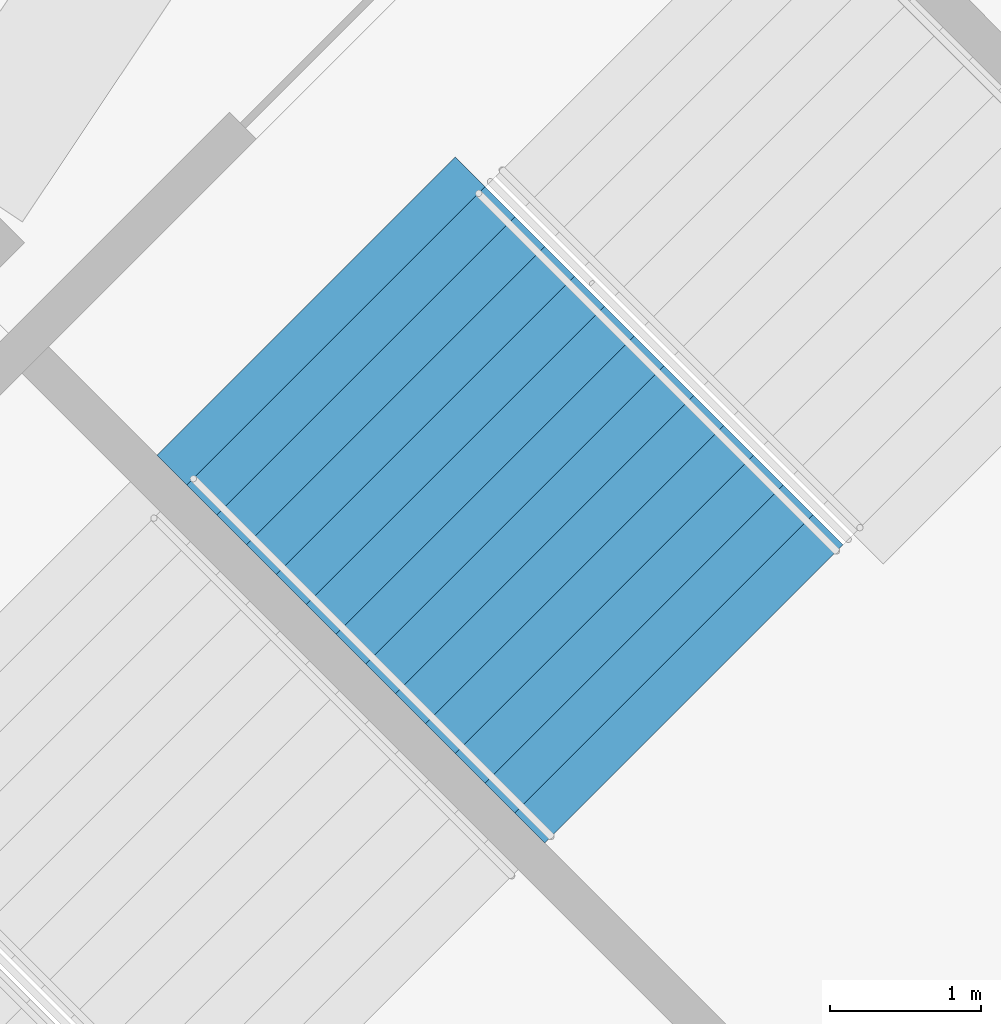
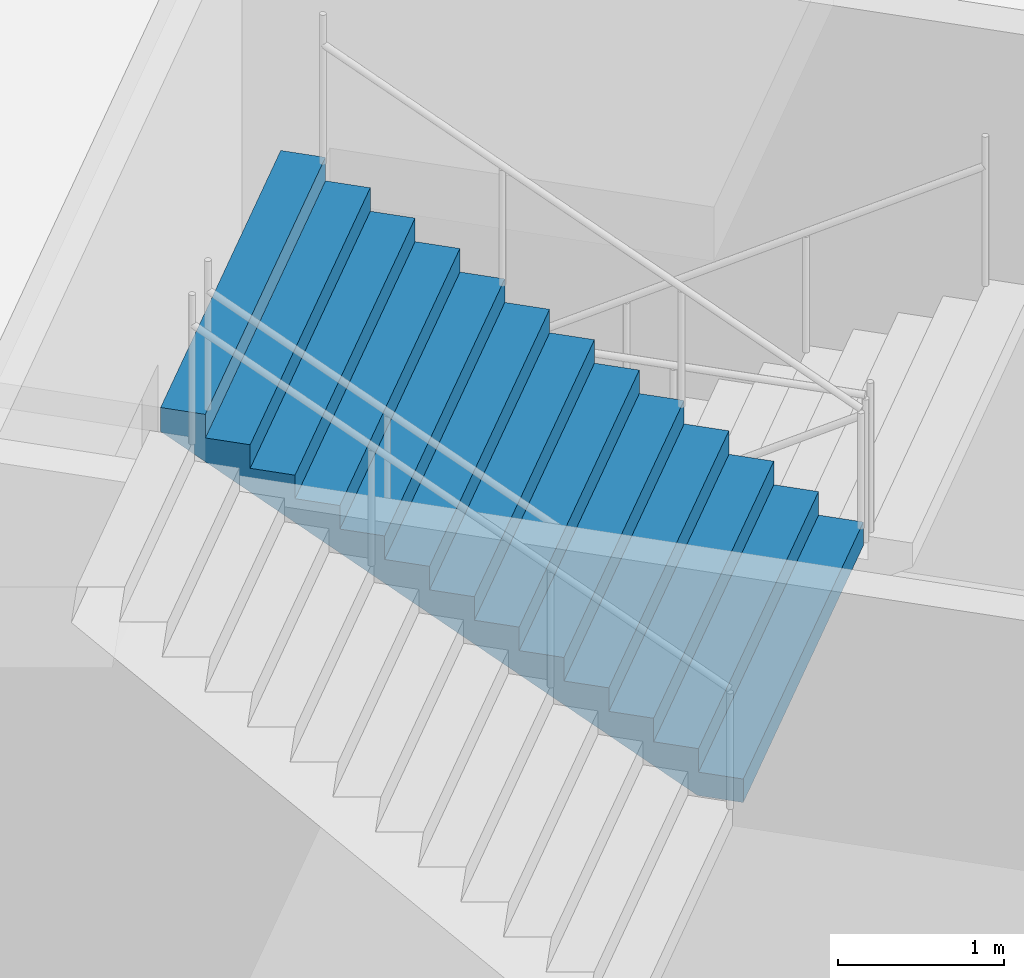
# One storey, part 171 of 249: 1 stair flight, 1 element without a shape of its own.
"""IFC4 building model written with IfcOpenShell, lengths in metres."""

from ifc_helpers import new_model, si_unit, direction, frame, origin, place, context, subcontext, project, spatial, faceted_brep, material, type_object, element, aggregate, save


model = new_model("IFC4")

# Units and contexts
model_context = context("Model", 3, precision=1e-05, world=origin(), true_north=direction((0.0, 1.0)))
body_context = subcontext(model_context, "Body", "Model", "MODEL_VIEW")
ifc_project = project(units=[si_unit("LENGTHUNIT", "METRE"), si_unit("AREAUNIT", "SQUARE_METRE"), si_unit("VOLUMEUNIT", "CUBIC_METRE"), si_unit("PLANEANGLEUNIT", "RADIAN"), si_unit("MASSUNIT", "GRAM", prefix="KILO")], contexts=[model_context])

# Site, building, storey
site_placement = place(None, origin())
site = spatial("IfcSite", under=ifc_project, at=site_placement, CompositionType="ELEMENT")
building_placement = place(site_placement, origin())
building = spatial("IfcBuilding", under=site, at=building_placement, Name="Ogive Plaza Stadium", CompositionType="ELEMENT")
storey_placement = place(building_placement, frame((0.0, 0.0, 13.5)))
storey = spatial("IfcBuildingStorey", under=building, at=storey_placement, Name="L03", CompositionType="ELEMENT", Elevation=13.5)

# Stair, stair flight
ifc_material_1 = material(Name="Concrete C40/50", Category="concrete")
stair_type = type_object("IfcStairType", Name="Exit stair", PredefinedType="STRAIGHT_RUN_STAIR", material=ifc_material_1)
stair_placement = place(storey_placement, origin())
stair = element("IfcStair", 1, at=stair_placement, inside=storey, type_object=stair_type, Name="Exit stair ST10B L03 to L04", PredefinedType="STRAIGHT_RUN_STAIR")
ifc_material_2 = material(Name="Concrete C40/50", Category="concrete")
stair_flight_type = type_object("IfcStairFlightType", Name="Exit stair flight", PredefinedType="STRAIGHT", material=ifc_material_2)
stair_flight_placement = place(storey_placement, frame((67.400146484375, -83.743408203125, 2.25), z_axis=(0.0, 0.0, 1.0), x_axis=(-0.707106781187, 0.707106781187, 0.0)))
stair_flight = element("IfcStairFlight", 2, at=stair_flight_placement, type_object=stair_flight_type, Name="ST10B flight 2", NumberOfRisers=13, NumberOfTreads=12, PredefinedType="STRAIGHT", RiserHeight=0.173076923, TreadLength=0.28, context=body_context, shape_type="Brep", body=[
    faceted_brep([(0.28515625, -1.39990234375, 0.0), (3.639892578125, -1.39990234375, 2.07373046875), (3.639892578125, -1.39990234375, 2.25), (3.360107421875, -1.39990234375, 2.25), (3.360107421875, -1.39990234375, 2.076904296875), (3.080078125, -1.39990234375, 2.076904296875), (3.080078125, -1.39990234375, 1.90380859375), (2.800048828125, -1.39990234375, 1.90380859375), (2.800048828125, -1.39990234375, 1.730712890625), (2.52001953125, -1.39990234375, 1.730712890625), (2.52001953125, -1.39990234375, 1.5576171875), (2.239990234375, -1.39990234375, 1.5576171875), (2.239990234375, -1.39990234375, 1.384521484375), (1.9599609375, -1.39990234375, 1.384521484375), (1.9599609375, -1.39990234375, 1.21142578125), (1.679931640625, -1.39990234375, 1.21142578125), (1.679931640625, -1.39990234375, 1.03857421875), (1.39990234375, -1.39990234375, 1.03857421875), (1.39990234375, -1.39990234375, 0.865478515625), (1.1201171875, -1.39990234375, 0.865478515625), (1.1201171875, -1.39990234375, 0.6923828125), (0.840087890625, -1.39990234375, 0.6923828125), (0.840087890625, -1.39990234375, 0.519287109375), (0.56005859375, -1.39990234375, 0.519287109375), (0.56005859375, -1.39990234375, 0.34619140625), (0.280029296875, -1.39990234375, 0.34619140625), (0.280029296875, -1.39990234375, 0.173095703125), (0.0, -1.39990234375, 0.173095703125), (0.0, -1.39990234375, 0.0), (0.0, 1.39990234375, 0.0), (0.0, 1.39990234375, 0.173095703125), (0.280029296875, 1.39990234375, 0.173095703125), (0.280029296875, 1.39990234375, 0.34619140625), (0.56005859375, 1.39990234375, 0.34619140625), (0.56005859375, 1.39990234375, 0.519287109375), (0.840087890625, 1.39990234375, 0.519287109375), (0.840087890625, 1.39990234375, 0.6923828125), (1.1201171875, 1.39990234375, 0.6923828125), (1.1201171875, 1.39990234375, 0.865478515625), (1.39990234375, 1.39990234375, 0.865478515625), (1.39990234375, 1.39990234375, 1.03857421875), (1.679931640625, 1.39990234375, 1.03857421875), (1.679931640625, 1.39990234375, 1.21142578125), (1.9599609375, 1.39990234375, 1.21142578125), (1.9599609375, 1.39990234375, 1.384521484375), (2.239990234375, 1.39990234375, 1.384521484375), (2.239990234375, 1.39990234375, 1.5576171875), (2.52001953125, 1.39990234375, 1.5576171875), (2.52001953125, 1.39990234375, 1.730712890625), (2.800048828125, 1.39990234375, 1.730712890625), (2.800048828125, 1.39990234375, 1.90380859375), (3.080078125, 1.39990234375, 1.90380859375), (3.080078125, 1.39990234375, 2.076904296875), (3.360107421875, 1.39990234375, 2.076904296875), (3.360107421875, 1.39990234375, 2.25), (3.639892578125, 1.39990234375, 2.25), (3.639892578125, 1.39990234375, 2.07373046875), (0.28515625, 1.39990234375, 0.0), (0.28515625, -1.0888671875, 0.0), (3.639892578125, -1.0888671875, 2.07373046875), (0.28515625, -0.77783203125, 0.0), (3.639892578125, -0.77783203125, 2.07373046875), (0.28515625, -0.466796875, 0.0), (3.639892578125, -0.466796875, 2.07373046875), (0.28515625, -0.155517578125, 0.0), (3.639892578125, -0.155517578125, 2.07373046875), (0.28515625, 0.155517578125, 0.0), (3.639892578125, 0.155517578125, 2.07373046875), (0.28515625, 0.466796875, 0.0), (3.639892578125, 0.466796875, 2.07373046875), (0.28515625, 0.77783203125, 0.0), (3.639892578125, 0.77783203125, 2.07373046875), (0.28515625, 1.0888671875, 0.0), (3.639892578125, 1.0888671875, 2.07373046875), (3.639892578125, -1.0888671875, 2.25), (3.639892578125, -0.77783203125, 2.25), (3.639892578125, -0.466796875, 2.25), (3.639892578125, -0.155517578125, 2.25), (3.639892578125, 0.155517578125, 2.25), (3.639892578125, 0.466796875, 2.25), (3.639892578125, 0.77783203125, 2.25), (3.639892578125, 1.0888671875, 2.25), (3.360107421875, -1.0888671875, 2.25), (3.360107421875, -0.77783203125, 2.25), (3.360107421875, -0.466796875, 2.25), (3.360107421875, -0.155517578125, 2.25), (3.360107421875, 0.155517578125, 2.25), (3.360107421875, 0.466796875, 2.25), (3.360107421875, 0.77783203125, 2.25), (3.360107421875, 1.0888671875, 2.25), (3.360107421875, -1.0888671875, 2.076904296875), (3.360107421875, -0.77783203125, 2.076904296875), (3.360107421875, -0.466796875, 2.076904296875), (3.360107421875, -0.155517578125, 2.076904296875), (3.360107421875, 0.155517578125, 2.076904296875), (3.360107421875, 0.466796875, 2.076904296875), (3.360107421875, 0.77783203125, 2.076904296875), (3.360107421875, 1.0888671875, 2.076904296875), (3.080078125, -1.0888671875, 2.076904296875), (3.080078125, -0.77783203125, 2.076904296875), (3.080078125, -0.466796875, 2.076904296875), (3.080078125, -0.155517578125, 2.076904296875), (3.080078125, 0.155517578125, 2.076904296875), (3.080078125, 0.466796875, 2.076904296875), (3.080078125, 0.77783203125, 2.076904296875), (3.080078125, 1.0888671875, 2.076904296875), (3.080078125, -1.0888671875, 1.90380859375), (3.080078125, -0.77783203125, 1.90380859375), (3.080078125, -0.466796875, 1.90380859375), (3.080078125, -0.155517578125, 1.90380859375), (3.080078125, 0.155517578125, 1.90380859375), (3.080078125, 0.466796875, 1.90380859375), (3.080078125, 0.77783203125, 1.90380859375), (3.080078125, 1.0888671875, 1.90380859375), (2.800048828125, -1.0888671875, 1.90380859375), (2.800048828125, -0.77783203125, 1.90380859375), (2.800048828125, -0.466796875, 1.90380859375), (2.800048828125, -0.155517578125, 1.90380859375), (2.800048828125, 0.155517578125, 1.90380859375), (2.800048828125, 0.466796875, 1.90380859375), (2.800048828125, 0.77783203125, 1.90380859375), (2.800048828125, 1.0888671875, 1.90380859375), (2.800048828125, -1.0888671875, 1.730712890625), (2.800048828125, -0.77783203125, 1.730712890625), (2.800048828125, -0.466796875, 1.730712890625), (2.800048828125, -0.155517578125, 1.730712890625), (2.800048828125, 0.155517578125, 1.730712890625), (2.800048828125, 0.466796875, 1.730712890625), (2.800048828125, 0.77783203125, 1.730712890625), (2.800048828125, 1.0888671875, 1.730712890625), (2.52001953125, -1.0888671875, 1.730712890625), (2.52001953125, -0.77783203125, 1.730712890625), (2.52001953125, -0.466796875, 1.730712890625), (2.52001953125, -0.155517578125, 1.730712890625), (2.52001953125, 0.155517578125, 1.730712890625), (2.52001953125, 0.466796875, 1.730712890625), (2.52001953125, 0.77783203125, 1.730712890625), (2.52001953125, 1.0888671875, 1.730712890625), (2.52001953125, -1.0888671875, 1.5576171875), (2.52001953125, -0.77783203125, 1.5576171875), (2.52001953125, -0.466796875, 1.5576171875), (2.52001953125, -0.155517578125, 1.5576171875), (2.52001953125, 0.155517578125, 1.5576171875), (2.52001953125, 0.466796875, 1.5576171875), (2.52001953125, 0.77783203125, 1.5576171875), (2.52001953125, 1.0888671875, 1.5576171875), (2.239990234375, -1.0888671875, 1.5576171875), (2.239990234375, -0.77783203125, 1.5576171875), (2.239990234375, -0.466796875, 1.5576171875), (2.239990234375, -0.155517578125, 1.5576171875), (2.239990234375, 0.155517578125, 1.5576171875), (2.239990234375, 0.466796875, 1.5576171875), (2.239990234375, 0.77783203125, 1.5576171875), (2.239990234375, 1.0888671875, 1.5576171875), (2.239990234375, -1.0888671875, 1.384521484375), (2.239990234375, -0.77783203125, 1.384521484375), (2.239990234375, -0.466796875, 1.384521484375), (2.239990234375, -0.155517578125, 1.384521484375), (2.239990234375, 0.155517578125, 1.384521484375), (2.239990234375, 0.466796875, 1.384521484375), (2.239990234375, 0.77783203125, 1.384521484375), (2.239990234375, 1.0888671875, 1.384521484375), (1.9599609375, -1.0888671875, 1.384521484375), (1.9599609375, -0.77783203125, 1.384521484375), (1.9599609375, -0.466796875, 1.384521484375), (1.9599609375, -0.155517578125, 1.384521484375), (1.9599609375, 0.155517578125, 1.384521484375), (1.9599609375, 0.466796875, 1.384521484375), (1.9599609375, 0.77783203125, 1.384521484375), (1.9599609375, 1.0888671875, 1.384521484375), (1.9599609375, -1.0888671875, 1.21142578125), (1.9599609375, -0.77783203125, 1.21142578125), (1.9599609375, -0.466796875, 1.21142578125), (1.9599609375, -0.155517578125, 1.21142578125), (1.9599609375, 0.155517578125, 1.21142578125), (1.9599609375, 0.466796875, 1.21142578125), (1.9599609375, 0.77783203125, 1.21142578125), (1.9599609375, 1.0888671875, 1.21142578125), (1.679931640625, -1.0888671875, 1.21142578125), (1.679931640625, -0.77783203125, 1.21142578125), (1.679931640625, -0.466796875, 1.21142578125), (1.679931640625, -0.155517578125, 1.21142578125), (1.679931640625, 0.155517578125, 1.21142578125), (1.679931640625, 0.466796875, 1.21142578125), (1.679931640625, 0.77783203125, 1.21142578125), (1.679931640625, 1.0888671875, 1.21142578125), (1.679931640625, -1.0888671875, 1.03857421875), (1.679931640625, -0.77783203125, 1.03857421875), (1.679931640625, -0.466796875, 1.03857421875), (1.679931640625, -0.155517578125, 1.03857421875), (1.679931640625, 0.155517578125, 1.03857421875), (1.679931640625, 0.466796875, 1.03857421875), (1.679931640625, 0.77783203125, 1.03857421875), (1.679931640625, 1.0888671875, 1.03857421875), (1.39990234375, -1.0888671875, 1.03857421875), (1.39990234375, -0.77783203125, 1.03857421875), (1.39990234375, -0.466796875, 1.03857421875), (1.39990234375, -0.155517578125, 1.03857421875), (1.39990234375, 0.155517578125, 1.03857421875), (1.39990234375, 0.466796875, 1.03857421875), (1.39990234375, 0.77783203125, 1.03857421875), (1.39990234375, 1.0888671875, 1.03857421875), (1.39990234375, -1.0888671875, 0.865478515625), (1.39990234375, -0.77783203125, 0.865478515625), (1.39990234375, -0.466796875, 0.865478515625), (1.39990234375, -0.155517578125, 0.865478515625), (1.39990234375, 0.155517578125, 0.865478515625), (1.39990234375, 0.466796875, 0.865478515625), (1.39990234375, 0.77783203125, 0.865478515625), (1.39990234375, 1.0888671875, 0.865478515625), (1.1201171875, -1.0888671875, 0.865478515625), (1.1201171875, -0.77783203125, 0.865478515625), (1.1201171875, -0.466796875, 0.865478515625), (1.1201171875, -0.155517578125, 0.865478515625), (1.1201171875, 0.155517578125, 0.865478515625), (1.1201171875, 0.466796875, 0.865478515625), (1.1201171875, 0.77783203125, 0.865478515625), (1.1201171875, 1.0888671875, 0.865478515625), (1.1201171875, -1.0888671875, 0.6923828125), (1.1201171875, -0.77783203125, 0.6923828125), (1.1201171875, -0.466796875, 0.6923828125), (1.1201171875, -0.155517578125, 0.6923828125), (1.1201171875, 0.155517578125, 0.6923828125), (1.1201171875, 0.466796875, 0.6923828125), (1.1201171875, 0.77783203125, 0.6923828125), (1.1201171875, 1.0888671875, 0.6923828125), (0.840087890625, -1.0888671875, 0.6923828125), (0.840087890625, -0.77783203125, 0.6923828125), (0.840087890625, -0.466796875, 0.6923828125), (0.840087890625, -0.155517578125, 0.6923828125), (0.840087890625, 0.155517578125, 0.6923828125), (0.840087890625, 0.466796875, 0.6923828125), (0.840087890625, 0.77783203125, 0.6923828125), (0.840087890625, 1.0888671875, 0.6923828125), (0.840087890625, -1.0888671875, 0.519287109375), (0.840087890625, -0.77783203125, 0.519287109375), (0.840087890625, -0.466796875, 0.519287109375), (0.840087890625, -0.155517578125, 0.519287109375), (0.840087890625, 0.155517578125, 0.519287109375), (0.840087890625, 0.466796875, 0.519287109375), (0.840087890625, 0.77783203125, 0.519287109375), (0.840087890625, 1.0888671875, 0.519287109375), (0.56005859375, -1.0888671875, 0.519287109375), (0.56005859375, -0.77783203125, 0.519287109375), (0.56005859375, -0.466796875, 0.519287109375), (0.56005859375, -0.155517578125, 0.519287109375), (0.56005859375, 0.155517578125, 0.519287109375), (0.56005859375, 0.466796875, 0.519287109375), (0.56005859375, 0.77783203125, 0.519287109375), (0.56005859375, 1.0888671875, 0.519287109375), (0.56005859375, -1.0888671875, 0.34619140625), (0.56005859375, -0.77783203125, 0.34619140625), (0.56005859375, -0.466796875, 0.34619140625), (0.56005859375, -0.155517578125, 0.34619140625), (0.56005859375, 0.155517578125, 0.34619140625), (0.56005859375, 0.466796875, 0.34619140625), (0.56005859375, 0.77783203125, 0.34619140625), (0.56005859375, 1.0888671875, 0.34619140625), (0.280029296875, -1.0888671875, 0.34619140625), (0.280029296875, -0.77783203125, 0.34619140625), (0.280029296875, -0.466796875, 0.34619140625), (0.280029296875, -0.155517578125, 0.34619140625), (0.280029296875, 0.155517578125, 0.34619140625), (0.280029296875, 0.466796875, 0.34619140625), (0.280029296875, 0.77783203125, 0.34619140625), (0.280029296875, 1.0888671875, 0.34619140625), (0.280029296875, -1.0888671875, 0.173095703125), (0.280029296875, -0.77783203125, 0.173095703125), (0.280029296875, -0.466796875, 0.173095703125), (0.280029296875, -0.155517578125, 0.173095703125), (0.280029296875, 0.155517578125, 0.173095703125), (0.280029296875, 0.466796875, 0.173095703125), (0.280029296875, 0.77783203125, 0.173095703125), (0.280029296875, 1.0888671875, 0.173095703125), (0.0, -1.0888671875, 0.173095703125), (0.0, -0.77783203125, 0.173095703125), (0.0, -0.466796875, 0.173095703125), (0.0, -0.155517578125, 0.173095703125), (0.0, 0.155517578125, 0.173095703125), (0.0, 0.466796875, 0.173095703125), (0.0, 0.77783203125, 0.173095703125), (0.0, 1.0888671875, 0.173095703125), (0.0, -1.0888671875, 0.0), (0.0, -0.77783203125, 0.0), (0.0, -0.466796875, 0.0), (0.0, -0.155517578125, 0.0), (0.0, 0.155517578125, 0.0), (0.0, 0.466796875, 0.0), (0.0, 0.77783203125, 0.0), (0.0, 1.0888671875, 0.0)], [[[0, 1, 2, 3, 4, 5, 6, 7, 8, 9, 10, 11, 12, 13, 14, 15, 16, 17, 18, 19, 20, 21, 22, 23, 24, 25, 26, 27, 28]], [[29, 30, 31, 32, 33, 34, 35, 36, 37, 38, 39, 40, 41, 42, 43, 44, 45, 46, 47, 48, 49, 50, 51, 52, 53, 54, 55, 56, 57]], [[0, 58, 59, 1]], [[58, 60, 61, 59]], [[60, 62, 63, 61]], [[62, 64, 65, 63]], [[64, 66, 67, 65]], [[66, 68, 69, 67]], [[68, 70, 71, 69]], [[70, 72, 73, 71]], [[72, 57, 56, 73]], [[1, 59, 74, 2]], [[59, 61, 75, 74]], [[61, 63, 76, 75]], [[63, 65, 77, 76]], [[65, 67, 78, 77]], [[67, 69, 79, 78]], [[69, 71, 80, 79]], [[71, 73, 81, 80]], [[73, 56, 55, 81]], [[2, 74, 82, 3]], [[74, 75, 83, 82]], [[75, 76, 84, 83]], [[76, 77, 85, 84]], [[77, 78, 86, 85]], [[78, 79, 87, 86]], [[79, 80, 88, 87]], [[80, 81, 89, 88]], [[81, 55, 54, 89]], [[3, 82, 90, 4]], [[82, 83, 91, 90]], [[83, 84, 92, 91]], [[84, 85, 93, 92]], [[85, 86, 94, 93]], [[86, 87, 95, 94]], [[87, 88, 96, 95]], [[88, 89, 97, 96]], [[89, 54, 53, 97]], [[4, 90, 98, 5]], [[90, 91, 99, 98]], [[91, 92, 100, 99]], [[92, 93, 101, 100]], [[93, 94, 102, 101]], [[94, 95, 103, 102]], [[95, 96, 104, 103]], [[96, 97, 105, 104]], [[97, 53, 52, 105]], [[5, 98, 106, 6]], [[98, 99, 107, 106]], [[99, 100, 108, 107]], [[100, 101, 109, 108]], [[101, 102, 110, 109]], [[102, 103, 111, 110]], [[103, 104, 112, 111]], [[104, 105, 113, 112]], [[105, 52, 51, 113]], [[6, 106, 114, 7]], [[106, 107, 115, 114]], [[107, 108, 116, 115]], [[108, 109, 117, 116]], [[109, 110, 118, 117]], [[110, 111, 119, 118]], [[111, 112, 120, 119]], [[112, 113, 121, 120]], [[113, 51, 50, 121]], [[7, 114, 122, 8]], [[114, 115, 123, 122]], [[115, 116, 124, 123]], [[116, 117, 125, 124]], [[117, 118, 126, 125]], [[118, 119, 127, 126]], [[119, 120, 128, 127]], [[120, 121, 129, 128]], [[121, 50, 49, 129]], [[8, 122, 130, 9]], [[122, 123, 131, 130]], [[123, 124, 132, 131]], [[124, 125, 133, 132]], [[125, 126, 134, 133]], [[126, 127, 135, 134]], [[127, 128, 136, 135]], [[128, 129, 137, 136]], [[129, 49, 48, 137]], [[9, 130, 138, 10]], [[130, 131, 139, 138]], [[131, 132, 140, 139]], [[132, 133, 141, 140]], [[133, 134, 142, 141]], [[134, 135, 143, 142]], [[135, 136, 144, 143]], [[136, 137, 145, 144]], [[137, 48, 47, 145]], [[10, 138, 146, 11]], [[138, 139, 147, 146]], [[139, 140, 148, 147]], [[140, 141, 149, 148]], [[141, 142, 150, 149]], [[142, 143, 151, 150]], [[143, 144, 152, 151]], [[144, 145, 153, 152]], [[145, 47, 46, 153]], [[11, 146, 154, 12]], [[146, 147, 155, 154]], [[147, 148, 156, 155]], [[148, 149, 157, 156]], [[149, 150, 158, 157]], [[150, 151, 159, 158]], [[151, 152, 160, 159]], [[152, 153, 161, 160]], [[153, 46, 45, 161]], [[12, 154, 162, 13]], [[154, 155, 163, 162]], [[155, 156, 164, 163]], [[156, 157, 165, 164]], [[157, 158, 166, 165]], [[158, 159, 167, 166]], [[159, 160, 168, 167]], [[160, 161, 169, 168]], [[161, 45, 44, 169]], [[13, 162, 170, 14]], [[162, 163, 171, 170]], [[163, 164, 172, 171]], [[164, 165, 173, 172]], [[165, 166, 174, 173]], [[166, 167, 175, 174]], [[167, 168, 176, 175]], [[168, 169, 177, 176]], [[169, 44, 43, 177]], [[14, 170, 178, 15]], [[170, 171, 179, 178]], [[171, 172, 180, 179]], [[172, 173, 181, 180]], [[173, 174, 182, 181]], [[174, 175, 183, 182]], [[175, 176, 184, 183]], [[176, 177, 185, 184]], [[177, 43, 42, 185]], [[15, 178, 186, 16]], [[178, 179, 187, 186]], [[179, 180, 188, 187]], [[180, 181, 189, 188]], [[181, 182, 190, 189]], [[182, 183, 191, 190]], [[183, 184, 192, 191]], [[184, 185, 193, 192]], [[185, 42, 41, 193]], [[16, 186, 194, 17]], [[186, 187, 195, 194]], [[187, 188, 196, 195]], [[188, 189, 197, 196]], [[189, 190, 198, 197]], [[190, 191, 199, 198]], [[191, 192, 200, 199]], [[192, 193, 201, 200]], [[193, 41, 40, 201]], [[17, 194, 202, 18]], [[194, 195, 203, 202]], [[195, 196, 204, 203]], [[196, 197, 205, 204]], [[197, 198, 206, 205]], [[198, 199, 207, 206]], [[199, 200, 208, 207]], [[200, 201, 209, 208]], [[201, 40, 39, 209]], [[18, 202, 210, 19]], [[202, 203, 211, 210]], [[203, 204, 212, 211]], [[204, 205, 213, 212]], [[205, 206, 214, 213]], [[206, 207, 215, 214]], [[207, 208, 216, 215]], [[208, 209, 217, 216]], [[209, 39, 38, 217]], [[19, 210, 218, 20]], [[210, 211, 219, 218]], [[211, 212, 220, 219]], [[212, 213, 221, 220]], [[213, 214, 222, 221]], [[214, 215, 223, 222]], [[215, 216, 224, 223]], [[216, 217, 225, 224]], [[217, 38, 37, 225]], [[20, 218, 226, 21]], [[218, 219, 227, 226]], [[219, 220, 228, 227]], [[220, 221, 229, 228]], [[221, 222, 230, 229]], [[222, 223, 231, 230]], [[223, 224, 232, 231]], [[224, 225, 233, 232]], [[225, 37, 36, 233]], [[21, 226, 234, 22]], [[226, 227, 235, 234]], [[227, 228, 236, 235]], [[228, 229, 237, 236]], [[229, 230, 238, 237]], [[230, 231, 239, 238]], [[231, 232, 240, 239]], [[232, 233, 241, 240]], [[233, 36, 35, 241]], [[22, 234, 242, 23]], [[234, 235, 243, 242]], [[235, 236, 244, 243]], [[236, 237, 245, 244]], [[237, 238, 246, 245]], [[238, 239, 247, 246]], [[239, 240, 248, 247]], [[240, 241, 249, 248]], [[241, 35, 34, 249]], [[23, 242, 250, 24]], [[242, 243, 251, 250]], [[243, 244, 252, 251]], [[244, 245, 253, 252]], [[245, 246, 254, 253]], [[246, 247, 255, 254]], [[247, 248, 256, 255]], [[248, 249, 257, 256]], [[249, 34, 33, 257]], [[24, 250, 258, 25]], [[250, 251, 259, 258]], [[251, 252, 260, 259]], [[252, 253, 261, 260]], [[253, 254, 262, 261]], [[254, 255, 263, 262]], [[255, 256, 264, 263]], [[256, 257, 265, 264]], [[257, 33, 32, 265]], [[25, 258, 266, 26]], [[258, 259, 267, 266]], [[259, 260, 268, 267]], [[260, 261, 269, 268]], [[261, 262, 270, 269]], [[262, 263, 271, 270]], [[263, 264, 272, 271]], [[264, 265, 273, 272]], [[265, 32, 31, 273]], [[26, 266, 274, 27]], [[266, 267, 275, 274]], [[267, 268, 276, 275]], [[268, 269, 277, 276]], [[269, 270, 278, 277]], [[270, 271, 279, 278]], [[271, 272, 280, 279]], [[272, 273, 281, 280]], [[273, 31, 30, 281]], [[27, 274, 282, 28]], [[274, 275, 283, 282]], [[275, 276, 284, 283]], [[276, 277, 285, 284]], [[277, 278, 286, 285]], [[278, 279, 287, 286]], [[279, 280, 288, 287]], [[280, 281, 289, 288]], [[281, 30, 29, 289]], [[28, 282, 58, 0]], [[282, 283, 60, 58]], [[283, 284, 62, 60]], [[284, 285, 64, 62]], [[285, 286, 66, 64]], [[286, 287, 68, 66]], [[287, 288, 70, 68]], [[288, 289, 72, 70]], [[289, 29, 57, 72]]]),
])
aggregate(stair, [stair_flight])

save(model, "model.ifc")
